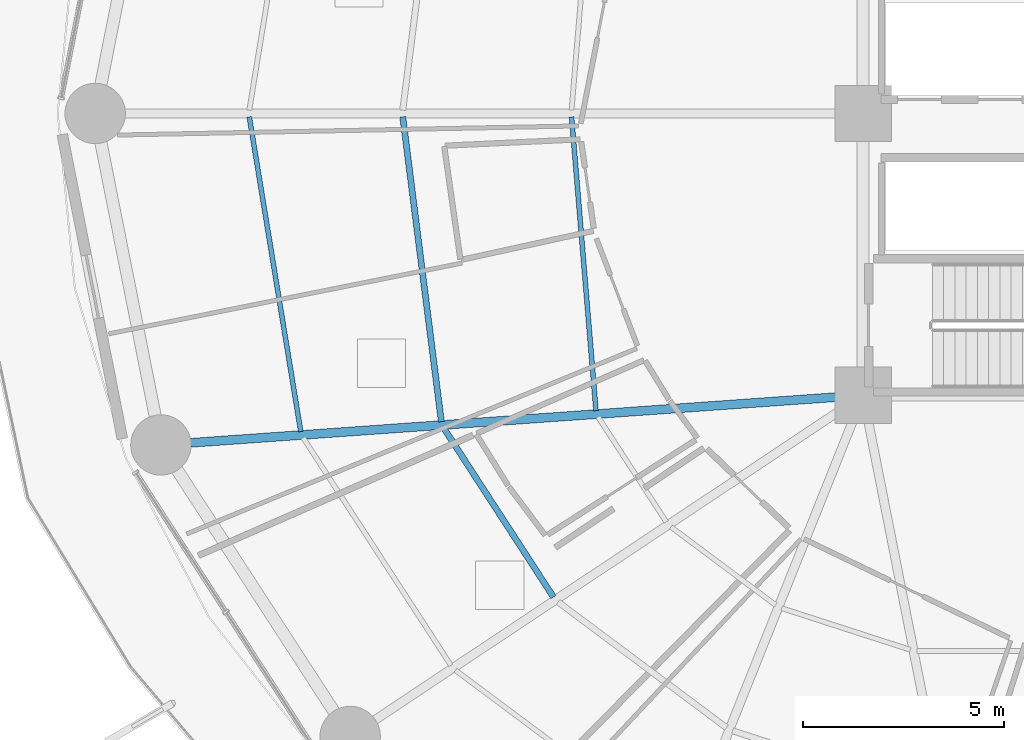
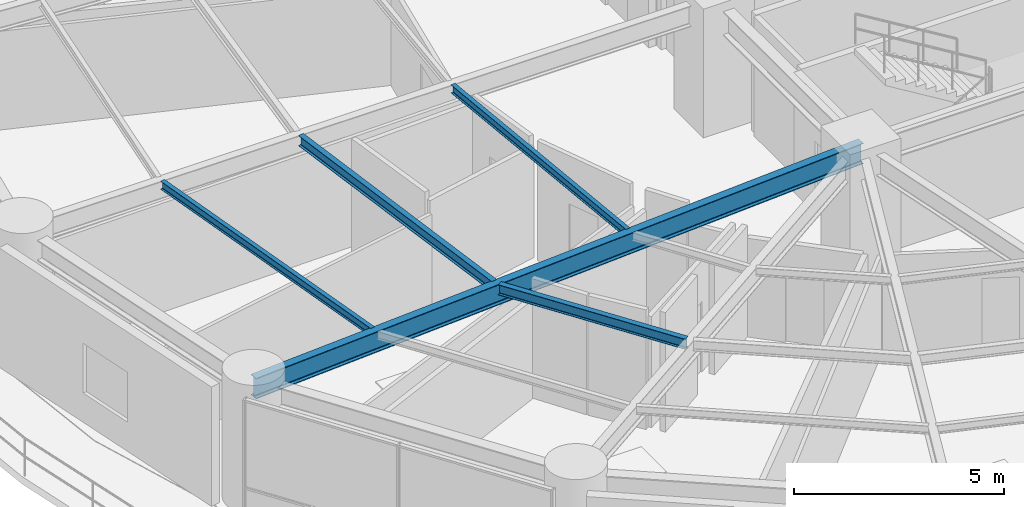
# One storey, part 5 of 33: 5 beams.
"""IFC4 building model written with IfcOpenShell, lengths in metres."""

from ifc_helpers import new_model, si_unit, direction, frame, origin, origin_2d, place, context, subcontext, project, spatial, i_section, extrude, material, material_profile, profile_set, type_object, element, save


model = new_model("IFC4")

# Units and contexts
model_context = context("Model", 3, precision=1e-05, world=origin(), true_north=direction((0.0, 1.0)))
body_context = subcontext(model_context, "Body", "Model", "MODEL_VIEW")
ifc_project = project(units=[si_unit("LENGTHUNIT", "METRE"), si_unit("AREAUNIT", "SQUARE_METRE"), si_unit("VOLUMEUNIT", "CUBIC_METRE"), si_unit("PLANEANGLEUNIT", "RADIAN"), si_unit("MASSUNIT", "GRAM", prefix="KILO")], contexts=[model_context])

# Site, building, storey
site_placement = place(None, origin())
site = spatial("IfcSite", under=ifc_project, at=site_placement, CompositionType="ELEMENT")
building_placement = place(site_placement, origin())
building = spatial("IfcBuilding", under=site, at=building_placement, Name="Kelanora Arch Commons", CompositionType="ELEMENT")
storey_placement = place(building_placement, frame((0.0, 0.0, 41.25)))
storey = spatial("IfcBuildingStorey", under=building, at=storey_placement, Name="L10", CompositionType="ELEMENT", Elevation=41.25)

# Beams
ifc_material = material(Name="Steel S355", Category="steel")
ifc_material_profile_1 = material_profile(ifc_material, i_section(OverallWidth=0.14990234375, OverallDepth=0.300048828125, WebThickness=0.007080078125, FlangeThickness=0.0107421875, FilletRadius=0.014892578125, at=origin_2d()), Name="IPE300")
ifc_profile_set_1 = profile_set([ifc_material_profile_1], Name="Steel S355")
beam_type_1 = type_object("IfcBeamType", Name="BM-JST-01", PredefinedType="JOIST", material=ifc_profile_set_1)
beam_1_placement = place(storey_placement, frame((54.562744140625, 57.915771484375, 3.340087890625), z_axis=(0.125565841651, -0.992085288375, 0.0), x_axis=(0.992085288375, 0.125565841651, 0.0)))
element("IfcBeam", 1, at=beam_1_placement, inside=storey, type_object=beam_type_1, Name="Secondary Chord Joist BJB-18 L10", PredefinedType="JOIST", context=body_context, shape_type="SweptSolid", body=[
    extrude(i_section(OverallWidth=0.14990234375, OverallDepth=0.300048828125, WebThickness=0.007080078125, FlangeThickness=0.0107421875, FilletRadius=0.014892578125, at=origin_2d()), origin(), (0.0, 0.0, 1.0), 7.63330078125),
])
beam_2_placement = place(storey_placement, frame((55.578125, 50.187255859375, 3.340087890625), z_axis=(0.544551588245, -0.838727350061, 0.0), x_axis=(0.838727350061, 0.544551588245, 0.0)))
element("IfcBeam", 2, at=beam_2_placement, inside=storey, type_object=beam_type_1, Name="Secondary Chord Joist BJB-20 L10", PredefinedType="JOIST", context=body_context, shape_type="SweptSolid", body=[
    extrude(i_section(OverallWidth=0.14990234375, OverallDepth=0.300048828125, WebThickness=0.007080078125, FlangeThickness=0.0107421875, FilletRadius=0.014892578125, at=origin_2d()), origin(), (0.0, 0.0, 1.0), 5.010986328125),
])
ifc_material_profile_2 = material_profile(ifc_material, i_section(OverallWidth=0.1201171875, OverallDepth=0.239990234375, WebThickness=0.006103515625, FlangeThickness=0.009765625, FilletRadius=0.014892578125, at=origin_2d()), Name="IPE240")
ifc_profile_set_2 = profile_set([ifc_material_profile_2], Name="Steel S355")
beam_type_2 = type_object("IfcBeamType", Name="BM-JST-02", PredefinedType="JOIST", material=ifc_profile_set_2)
beam_3_placement = place(storey_placement, frame((58.756591796875, 57.915283203125, 3.3701171875), z_axis=(0.082786209886, -0.996567330115, 0.0), x_axis=(0.996567330115, 0.082786209886, 0.0)))
element("IfcBeam", 3, at=beam_3_placement, inside=storey, type_object=beam_type_2, Name="Secondary Chord Joist BJA-18 L10", PredefinedType="JOIST", context=body_context, shape_type="SweptSolid", body=[
    extrude(i_section(OverallWidth=0.1201171875, OverallDepth=0.239990234375, WebThickness=0.006103515625, FlangeThickness=0.009765625, FilletRadius=0.014892578125, at=origin_2d()), origin(), (0.0, 0.0, 1.0), 7.325439453125),
])
beam_4_placement = place(storey_placement, frame((50.749755859375, 57.916015625, 3.3701171875), z_axis=(0.161400737199, -0.986888951216, 0.0), x_axis=(0.986888951216, 0.161400737199, 0.0)))
element("IfcBeam", 4, at=beam_4_placement, inside=storey, type_object=beam_type_2, Name="Secondary Chord Joist BJC-18 L10", PredefinedType="JOIST", context=body_context, shape_type="SweptSolid", body=[
    extrude(i_section(OverallWidth=0.1201171875, OverallDepth=0.239990234375, WebThickness=0.006103515625, FlangeThickness=0.009765625, FilletRadius=0.014892578125, at=origin_2d()), origin(), (0.0, 0.0, 1.0), 7.9248046875),
])
ifc_material_profile_3 = material_profile(ifc_material, i_section(OverallWidth=0.219970703125, OverallDepth=0.60009765625, WebThickness=0.011962890625, FlangeThickness=0.01904296875, FilletRadius=0.02392578125, at=origin_2d()), Name="IPE600")
ifc_profile_set_3 = profile_set([ifc_material_profile_3], Name="Steel S355")
beam_type_3 = type_object("IfcBeamType", Name="BM-RAD-Z1", PredefinedType="BEAM", material=ifc_profile_set_3)
beam_5_placement = place(storey_placement, frame((66.0, 51.0, 3.18994140625), z_axis=(-0.997500683472, -0.070656821848, 0.0), x_axis=(0.070656821848, -0.997500683472, 0.0)))
element("IfcBeam", 5, at=beam_5_placement, inside=storey, type_object=beam_type_3, Name="Radial Floor Girder BR-20 L10", PredefinedType="BEAM", context=body_context, shape_type="SweptSolid", body=[
    extrude(i_section(OverallWidth=0.219970703125, OverallDepth=0.60009765625, WebThickness=0.011962890625, FlangeThickness=0.01904296875, FilletRadius=0.02392578125, at=origin_2d()), origin(), (0.0, 0.0, 1.0), 17.49072265625),
])

save(model, "model.ifc")
